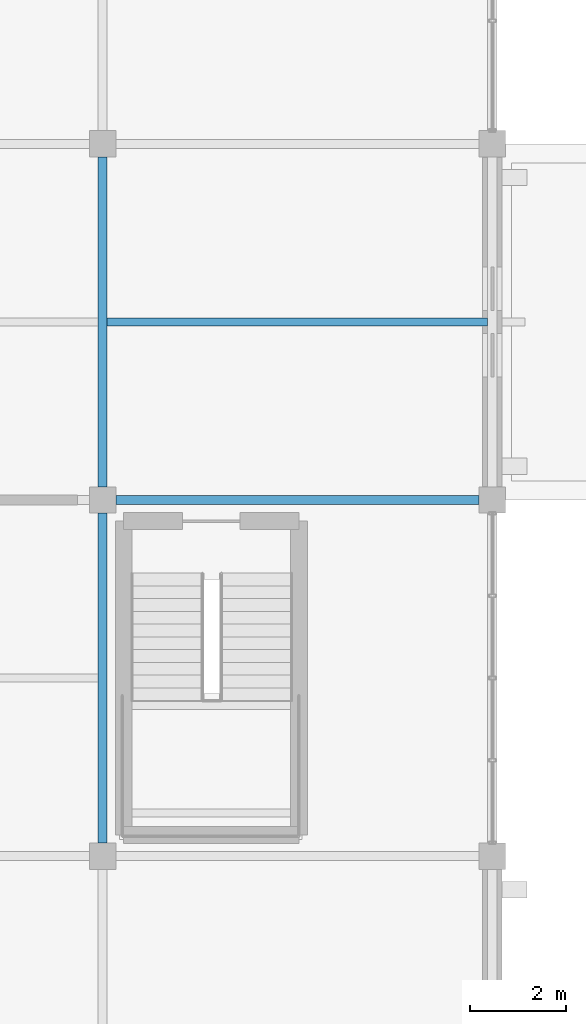
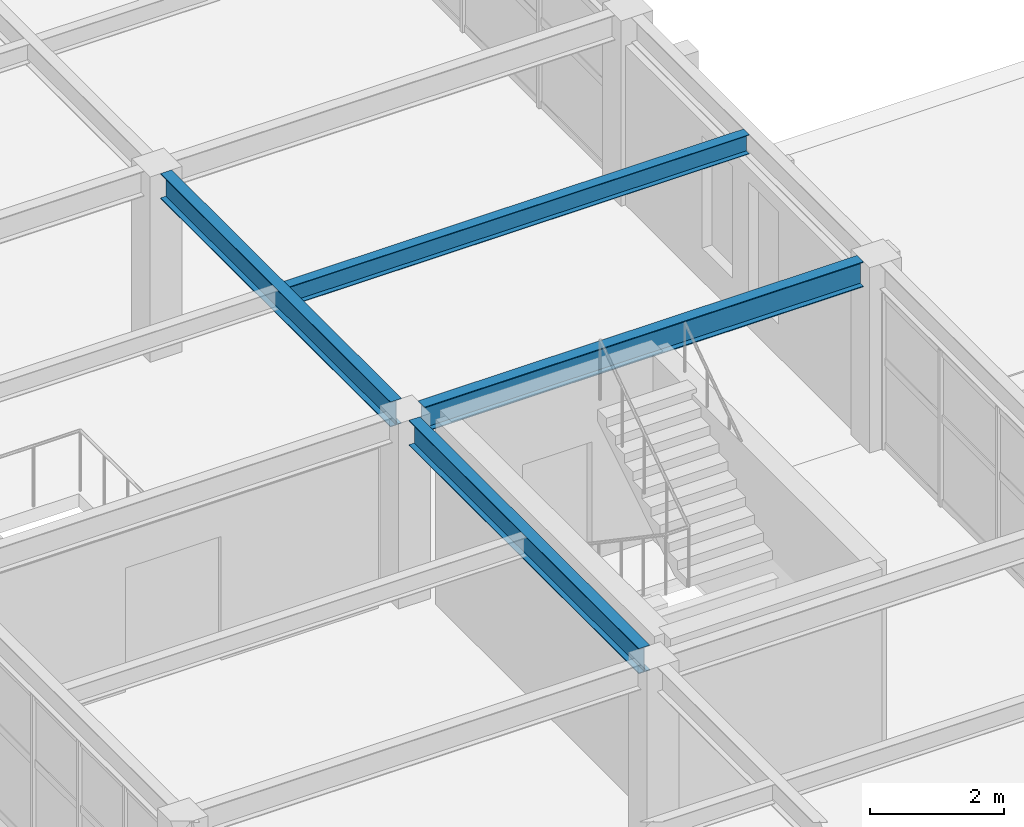
# One storey, part 39 of 121: 4 beams.
"""IFC4 building model written with IfcOpenShell, lengths in metres."""

import ifcopenshell
import ifcopenshell.guid

model = None  # the IFC model being written
_history = None  # IfcOwnerHistory: only IFC2X3 demands one
_inside = {}  # id of a spatial element -> (the spatial element, [elements in it])
_under = {}  # id of a project, library or spatial element -> (it, [spatial elements below it])
_declared = {}  # id of a project -> (the project, [libraries it declares])
_typed = {}  # id of a type object -> (the type object, [elements of that type])
_made_of = {}  # id of a material, layer set ... -> (it, [elements and type objects made of it])


def new_model(schema):
    """Start an empty IFC model of exactly this schema.

    Asked for "IFC4X3", IfcOpenShell would pick the latest addendum, in which some entities
    have other attributes; the version numbers below select the first issue.
    IFC2X3 requires an IfcOwnerHistory on every rooted entity: one is made here for all.
    """
    global model, _history
    if schema == "IFC4X3":
        model = ifcopenshell.file(schema_version=(4, 3, 0, 0))
    else:
        model = ifcopenshell.file(schema=schema)
    _inside.clear()
    _under.clear()
    _declared.clear()
    _typed.clear()
    _made_of.clear()
    _history = None
    if model.schema == "IFC2X3":
        org = make("IfcOrganization", Name="unknown")
        user = make(
            "IfcPersonAndOrganization",
            ThePerson=make("IfcPerson", FamilyName="unknown"),
            TheOrganization=org,
        )
        app = make(
            "IfcApplication",
            ApplicationDeveloper=org,
            Version="unknown",
            ApplicationFullName="unknown",
            ApplicationIdentifier="unknown",
        )
        _history = make(
            "IfcOwnerHistory",
            OwningUser=user,
            OwningApplication=app,
            ChangeAction="ADDED",
            CreationDate=0,
        )
    return model


def make(cls, **values):
    """One entity of the class cls with the attributes given. An attribute that is None is left unset."""
    return model.create_entity(
        cls, **{name: value for name, value in values.items() if value is not None}
    )


def rooted(cls, **values):
    """An entity with a GlobalId (a new one), such as an element, a storey or a relation."""
    return make(cls, GlobalId=ifcopenshell.guid.new(), OwnerHistory=_history, **values)


def si_unit(unit_type, name, prefix=None):
    """IfcSIUnit, for example si_unit("LENGTHUNIT", "METRE", prefix="MILLI")."""
    return make("IfcSIUnit", UnitType=unit_type, Prefix=prefix, Name=name)


def assignment(units):
    """IfcUnitAssignment: the units of a project."""
    return None if units is None else make("IfcUnitAssignment", Units=units)


def point(xyz):
    """IfcCartesianPoint."""
    return None if xyz is None else make("IfcCartesianPoint", Coordinates=xyz)


def direction(xyz):
    """IfcDirection."""
    return None if xyz is None else make("IfcDirection", DirectionRatios=xyz)


def frame(location, z_axis=None, x_axis=None):
    """IfcAxis2Placement3D, a coordinate frame: its origin and axes. An axis left out is left unset."""
    return make(
        "IfcAxis2Placement3D",
        Location=point(location),
        Axis=direction(z_axis),
        RefDirection=direction(x_axis),
    )


def frame_2d(location, x_axis=None):
    """IfcAxis2Placement2D, a coordinate frame in the plane: its origin and x axis."""
    return make(
        "IfcAxis2Placement2D", Location=point(location), RefDirection=direction(x_axis)
    )


def origin():
    """The frame at (0, 0, 0) with its axes left unset."""
    return frame((0.0, 0.0, 0.0))


def origin_2d():
    """The frame at (0, 0) in the plane with its x axis left unset."""
    return frame_2d((0.0, 0.0))


def place(relative_to, where):
    """IfcLocalPlacement: puts the frame where relative to a parent placement (None: the world)."""
    return make(
        "IfcLocalPlacement", PlacementRelTo=relative_to, RelativePlacement=where
    )


def context(
    kind, dimensions, precision=None, world=None, true_north=None, identifier=None
):
    """IfcGeometricRepresentationContext, for example the 3D "Model" context."""
    return make(
        "IfcGeometricRepresentationContext",
        ContextIdentifier=identifier,
        ContextType=kind,
        CoordinateSpaceDimension=dimensions,
        Precision=precision,
        WorldCoordinateSystem=world,
        TrueNorth=true_north,
    )


def subcontext(parent, identifier, kind, view, scale=None):
    """IfcGeometricRepresentationSubContext, for example "Body" below "Model"."""
    return make(
        "IfcGeometricRepresentationSubContext",
        ContextIdentifier=identifier,
        ContextType=kind,
        ParentContext=parent,
        TargetScale=scale,
        TargetView=view,
    )


def project(units=None, contexts=None):
    """IfcProject with its units and contexts."""
    return rooted(
        "IfcProject",
        Name="project",
        RepresentationContexts=contexts,
        UnitsInContext=assignment(units),
    )


def spatial(cls, under=None, at=None, **own):
    """A site, building, storey or space (cls), placed at a placement, below another one or the project."""
    s = rooted(cls, ObjectPlacement=at, **own)
    if under is not None:
        _under.setdefault(under.id(), (under, []))[1].append(s)
    return s


def profile(cls, at=None, kind="AREA", **sizes):
    """A parametric profile (cls). Its sizes go by their IFC names, for example OverallWidth=200.0."""
    return make(cls, ProfileType=kind, Position=at, **sizes)


def i_section(**sizes):
    """IfcIShapeProfileDef."""
    return profile("IfcIShapeProfileDef", **sizes)


def extrude(swept, where, along, depth):
    """IfcExtrudedAreaSolid: the profile swept, set in the frame where, extruded along a direction by depth."""
    return make(
        "IfcExtrudedAreaSolid",
        SweptArea=swept,
        Position=where,
        ExtrudedDirection=direction(along),
        Depth=depth,
    )


def shape(context_of_items, identifier, shape_type, items):
    """IfcShapeRepresentation: the items that make up one representation, for example the "Body"."""
    return make(
        "IfcShapeRepresentation",
        ContextOfItems=context_of_items,
        RepresentationIdentifier=identifier,
        RepresentationType=shape_type,
        Items=items,
    )


def material(Name=None, Category=None):
    """IfcMaterial."""
    return make("IfcMaterial", Name=Name, Category=Category)


def material_profile(
    of_material, cross_section, Name=None, Category=None, Priority=None
):
    """IfcMaterialProfile: a cross section and its material."""
    return make(
        "IfcMaterialProfile",
        Name=Name,
        Material=of_material,
        Profile=cross_section,
        Priority=Priority,
        Category=Category,
    )


def profile_set(profiles, Name=None, composite=None):
    """IfcMaterialProfileSet."""
    return make(
        "IfcMaterialProfileSet",
        Name=Name,
        MaterialProfiles=profiles,
        CompositeProfile=composite,
    )


def made_of(thing, what):
    """Note that an element or type object is made of a material, layer set ...; save() writes the relation."""
    if what is not None:
        _made_of.setdefault(what.id(), (what, []))[1].append(thing)
    return thing


def type_object(cls, material=None, **own):
    """A type object (cls), such as IfcWallType, which elements share."""
    return made_of(rooted(cls, **own), material)


def element(
    cls,
    number,
    at=None,
    inside=None,
    cuts=None,
    type_object=None,
    material=None,
    context=None,
    identifier="Body",
    shape_type=None,
    held_by="IfcProductDefinitionShape",
    body=None,
    shapes=None,
    **own,
):
    """One element of the class cls, such as IfcWall. Its Tag is "e" and its number.

    at: its placement. inside: the storey or other place that contains it. cuts: it is an
    opening in that element (IfcRelVoidsElement). A single representation is given by context,
    identifier, shape_type and body (its items); several are given by shapes. held_by: the class
    of the entity that holds the representations. save() writes the other relations.
    """
    e = rooted(cls, Tag="e%d" % number, ObjectPlacement=at, **own)
    if body is not None:
        shapes = [shape(context, identifier, shape_type, body)]
    if shapes is not None:
        e.Representation = make(held_by, Representations=shapes)
    if inside is not None:
        _inside.setdefault(inside.id(), (inside, []))[1].append(e)
    if cuts is not None:
        rooted(
            "IfcRelVoidsElement", RelatingBuildingElement=cuts, RelatedOpeningElement=e
        )
    if type_object is not None:
        _typed.setdefault(type_object.id(), (type_object, []))[1].append(e)
    return made_of(e, material)


def aggregate(whole, parts):
    """IfcRelAggregates: a whole, such as a stair, and the parts it consists of."""
    return rooted("IfcRelAggregates", RelatingObject=whole, RelatedObjects=parts)


def save(model, path):
    """Write the relations noted so far, then the file.

    IfcRelAggregates (storeys below a building ...), IfcRelContainedInSpatialStructure (elements
    in a storey), IfcRelDefinesByType, IfcRelAssociatesMaterial and IfcRelDeclares: one each for
    every whole, place, type object, material and project.
    """
    for whole, parts in _under.values():
        aggregate(whole, parts)
    for where, things in _inside.values():
        rooted(
            "IfcRelContainedInSpatialStructure",
            RelatedElements=things,
            RelatingStructure=where,
        )
    for kind, things in _typed.values():
        rooted("IfcRelDefinesByType", RelatedObjects=things, RelatingType=kind)
    for what, things in _made_of.values():
        rooted("IfcRelAssociatesMaterial", RelatedObjects=things, RelatingMaterial=what)
    for by, libraries in _declared.values():
        rooted("IfcRelDeclares", RelatingContext=by, RelatedDefinitions=libraries)
    model.write(path)


model = new_model("IFC4")

# Units and contexts
model_context = context("Model", 3, precision=1e-05, world=origin(), true_north=direction((0.0, 1.0)))
body_context = subcontext(model_context, "Body", "Model", "MODEL_VIEW")
ifc_project = project(units=[si_unit("LENGTHUNIT", "METRE"), si_unit("AREAUNIT", "SQUARE_METRE"), si_unit("VOLUMEUNIT", "CUBIC_METRE"), si_unit("PLANEANGLEUNIT", "RADIAN"), si_unit("MASSUNIT", "GRAM", prefix="KILO")], contexts=[model_context])

# Site, building, storey
site_placement = place(None, origin())
site = spatial("IfcSite", under=ifc_project, at=site_placement, CompositionType="ELEMENT")
building_placement = place(site_placement, origin())
building = spatial("IfcBuilding", under=site, at=building_placement, Name="Cimatlan Art Gallery", CompositionType="ELEMENT")
storey_placement = place(building_placement, frame((0.0, 0.0, 10.199951171875)))
storey = spatial("IfcBuildingStorey", under=building, at=storey_placement, Name="L02", CompositionType="ELEMENT", Elevation=10.199951171875)

# Beams
ifc_material = material(Name="Steel ASTM A992 Grade 50", Category="steel")
ifc_material_profile_1 = material_profile(ifc_material, i_section(OverallWidth=0.1708984375, OverallDepth=0.35107421875, WebThickness=0.0068359375, FlangeThickness=0.009765625, at=origin_2d()), Name="W14X30")
ifc_profile_set_1 = profile_set([ifc_material_profile_1], Name="Steel ASTM A992 Grade 50")
beam_type_1 = type_object("IfcBeamType", Name="BM-STL-W14X30", PredefinedType="JOIST", material=ifc_profile_set_1)
beam_1_placement = place(storey_placement, frame((123.595458984375, 57.199951171875, 3.194580078125), z_axis=(1.0, 0.0, 0.0), x_axis=(0.0, 1.0, 0.0)))
element("IfcBeam", 1, at=beam_1_placement, inside=storey, type_object=beam_type_1, Name="JST-L02-15-07", PredefinedType="JOIST", context=body_context, shape_type="SweptSolid", body=[
    extrude(i_section(OverallWidth=0.1708984375, OverallDepth=0.35107421875, WebThickness=0.0068359375, FlangeThickness=0.009765625, at=origin_2d()), origin(), (0.0, 0.0, 1.0), 7.908935546875),
])
ifc_material_profile_2 = material_profile(ifc_material, i_section(OverallWidth=0.19091796875, OverallDepth=0.45703125, WebThickness=0.009033203125, FlangeThickness=0.014404296875, at=origin_2d()), Name="W18X50")
ifc_profile_set_2 = profile_set([ifc_material_profile_2], Name="Steel ASTM A992 Grade 50")
beam_type_2 = type_object("IfcBeamType", Name="BM-STL-W18X50", PredefinedType="BEAM", material=ifc_profile_set_2)
for number, where, z_axis, x_axis, name in (
    (2, (123.5, 46.375, 3.1416015625), (0.0, 1.0, 0.0), (-1.0, 0.0, 0.0), "BM-Y-L02-15-06"),
    (3, (123.5, 53.77490234375, 3.1416015625), (0.0, 1.0, 0.0), (-1.0, 0.0, 0.0), "BM-Y-L02-15-07"),
):
    element("IfcBeam", number, at=place(storey_placement, frame(where, z_axis=z_axis, x_axis=x_axis)), inside=storey, type_object=beam_type_2, Name=name, PredefinedType="BEAM", context=body_context, shape_type="SweptSolid", body=[
        extrude(i_section(OverallWidth=0.19091796875, OverallDepth=0.45703125, WebThickness=0.009033203125, FlangeThickness=0.014404296875, at=origin_2d()), origin(), (0.0, 0.0, 1.0), 6.85009765625),
    ])
beam_2_placement = place(storey_placement, frame((123.77490234375, 53.5, 3.1416015625), z_axis=(1.0, 0.0, 0.0), x_axis=(0.0, 1.0, 0.0)))
element("IfcBeam", 4, at=beam_2_placement, inside=storey, type_object=beam_type_2, Name="BM-X-L02-15-07", PredefinedType="BEAM", context=body_context, shape_type="SweptSolid", body=[
    extrude(i_section(OverallWidth=0.19091796875, OverallDepth=0.45703125, WebThickness=0.009033203125, FlangeThickness=0.014404296875, at=origin_2d()), origin(), (0.0, 0.0, 1.0), 7.550048828125),
])

save(model, "model.ifc")
